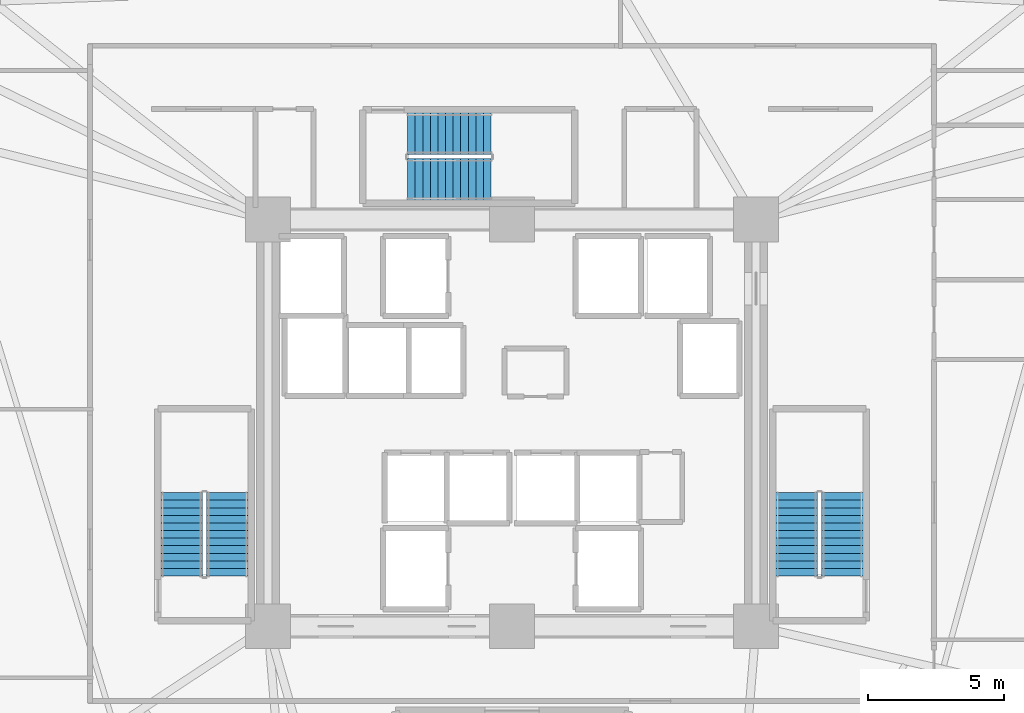
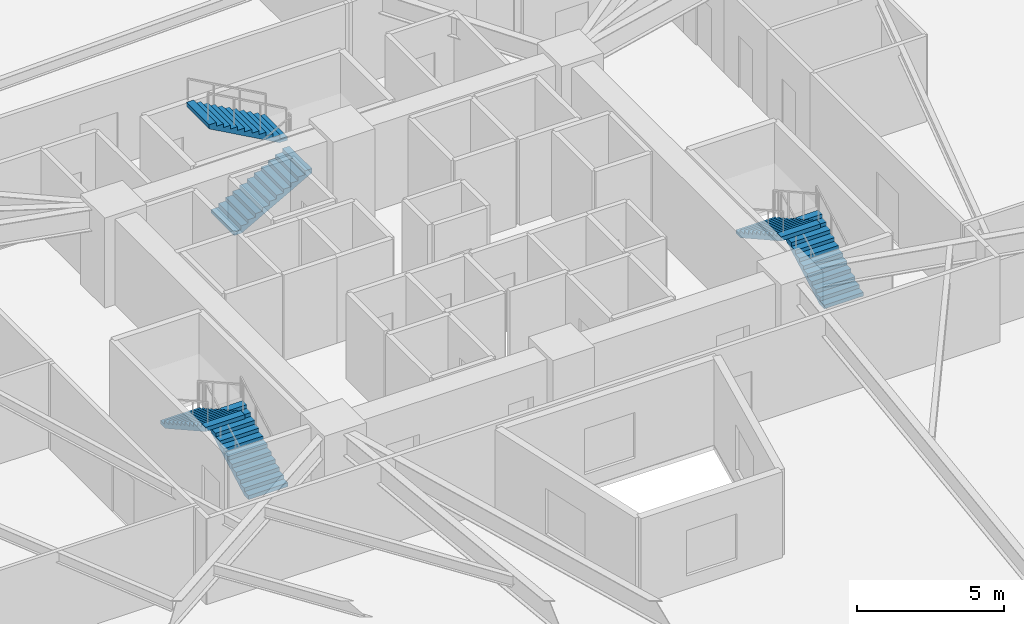
# One storey, part 7 of 8: 6 stair flights, 3 elements without a shape of their own.
"""IFC4 building model written with IfcOpenShell, lengths in metres."""

from ifc_helpers import new_model, si_unit, direction, frame, origin, place, context, subcontext, project, spatial, polyline, outline, extrude, material, type_object, element, aggregate, save


model = new_model("IFC4")

# Units and contexts
model_context = context("Model", 3, precision=1e-05, world=origin(), true_north=direction((0.0, 1.0)))
body_context = subcontext(model_context, "Body", "Model", "MODEL_VIEW")
ifc_project = project(units=[si_unit("LENGTHUNIT", "METRE"), si_unit("AREAUNIT", "SQUARE_METRE"), si_unit("VOLUMEUNIT", "CUBIC_METRE"), si_unit("PLANEANGLEUNIT", "RADIAN"), si_unit("MASSUNIT", "GRAM", prefix="KILO")], contexts=[model_context])

# Site, building, storey
site_placement = place(None, origin())
site = spatial("IfcSite", under=ifc_project, at=site_placement, CompositionType="ELEMENT")
building_placement = place(site_placement, origin())
building = spatial("IfcBuilding", under=site, at=building_placement, Name="Liaohun Quay Tower", CompositionType="ELEMENT")
storey_placement = place(building_placement, frame((0.0, 0.0, 63.0)))
storey = spatial("IfcBuildingStorey", under=building, at=storey_placement, Name="L16", CompositionType="ELEMENT", Elevation=63.0)

# Stair, stair flights
ifc_material = material(Name="Concrete C45", Category="concrete")
stair_type = type_object("IfcStairType", Name="STR-CORE-OFF", PredefinedType="HALF_TURN_STAIR", material=ifc_material)
stair_1_placement = place(storey_placement, origin())
stair_1 = element("IfcStair", 1, at=stair_1_placement, inside=storey, type_object=stair_type, Name="L16 Smokeproof Core Exit Stair ST-1", PredefinedType="HALF_TURN_STAIR")
stair_flight_type = type_object("IfcStairFlightType", Name="FLT-CORE-155", PredefinedType="STRAIGHT", material=ifc_material)
stair_flight_1_placement = place(storey_placement, frame((49.5048828125, 48.35009765625, 0.0), z_axis=(0.0, 0.0, 1.0), x_axis=(0.0, 1.0, 0.0)))
stair_flight_1 = element("IfcStairFlight", 2, at=stair_flight_1_placement, type_object=stair_flight_type, Name="ST-1 flight 1", NumberOfRisers=12, NumberOfTreads=11, PredefinedType="STRAIGHT", RiserHeight=0.15625, TreadLength=0.28, context=body_context, shape_type="SweptSolid", body=[
    extrude(outline(polyline([(0.0, 0.0), (0.0, 0.15625), (0.280029296875, 0.15625), (0.280029296875, 0.3125), (0.56005859375, 0.3125), (0.56005859375, 0.46875), (0.840087890625, 0.46875), (0.840087890625, 0.625), (1.1201171875, 0.625), (1.1201171875, 0.78125), (1.39990234375, 0.78125), (1.39990234375, 0.9375), (1.679931640625, 0.9375), (1.679931640625, 1.09375), (1.9599609375, 1.09375), (1.9599609375, 1.25), (2.239990234375, 1.25), (2.239990234375, 1.40625), (2.52001953125, 1.40625), (2.52001953125, 1.5625), (2.800048828125, 1.5625), (2.800048828125, 1.71875), (3.080078125, 1.71875), (3.080078125, 1.875), (3.080078125, 1.547119140625), (0.3076171875, 0.0), (0.0, 0.0)])), frame((0.0, 0.77490234375, 0.0), z_axis=(0.0, -1.0, 0.0), x_axis=(1.0, 0.0, 0.0)), (0.0, 0.0, 1.0), 1.550048828125),
])
stair_flight_2_placement = place(storey_placement, frame((47.81494140625, 51.429931640625, 1.875), z_axis=(0.0, 0.0, 1.0), x_axis=(0.0, -1.0, 0.0)))
stair_flight_2 = element("IfcStairFlight", 3, at=stair_flight_2_placement, type_object=stair_flight_type, Name="ST-1 flight 2", NumberOfRisers=12, NumberOfTreads=11, PredefinedType="STRAIGHT", RiserHeight=0.15625, TreadLength=0.28, context=body_context, shape_type="SweptSolid", body=[
    extrude(outline(polyline([(0.0, 0.0), (0.0, 0.15625), (0.280029296875, 0.15625), (0.280029296875, 0.3125), (0.56005859375, 0.3125), (0.56005859375, 0.46875), (0.840087890625, 0.46875), (0.840087890625, 0.625), (1.1201171875, 0.625), (1.1201171875, 0.78125), (1.39990234375, 0.78125), (1.39990234375, 0.9375), (1.679931640625, 0.9375), (1.679931640625, 1.09375), (1.9599609375, 1.09375), (1.9599609375, 1.25), (2.239990234375, 1.25), (2.239990234375, 1.40625), (2.52001953125, 1.40625), (2.52001953125, 1.5625), (2.800048828125, 1.5625), (2.800048828125, 1.71875), (3.080078125, 1.71875), (3.080078125, 1.875), (3.080078125, 1.547119140625), (0.3076171875, 0.0), (0.0, 0.0)])), frame((0.0, 0.77490234375, 0.0), z_axis=(0.0, -1.0, 0.0), x_axis=(1.0, 0.0, 0.0)), (0.0, 0.0, 1.0), 1.550048828125),
])
aggregate(stair_1, [stair_flight_1, stair_flight_2])

stair_2_placement = place(storey_placement, origin())
stair_2 = element("IfcStair", 4, at=stair_2_placement, inside=storey, type_object=stair_type, Name="L16 Smokeproof Core Exit Stair ST-2", PredefinedType="HALF_TURN_STAIR")
stair_flight_3_placement = place(storey_placement, frame((72.18505859375, 48.35009765625, 0.0), z_axis=(0.0, 0.0, 1.0), x_axis=(0.0, 1.0, 0.0)))
stair_flight_3 = element("IfcStairFlight", 5, at=stair_flight_3_placement, type_object=stair_flight_type, Name="ST-2 flight 1", NumberOfRisers=12, NumberOfTreads=11, PredefinedType="STRAIGHT", RiserHeight=0.15625, TreadLength=0.28, context=body_context, shape_type="SweptSolid", body=[
    extrude(outline(polyline([(0.0, 0.0), (0.0, 0.15625), (0.280029296875, 0.15625), (0.280029296875, 0.3125), (0.56005859375, 0.3125), (0.56005859375, 0.46875), (0.840087890625, 0.46875), (0.840087890625, 0.625), (1.1201171875, 0.625), (1.1201171875, 0.78125), (1.39990234375, 0.78125), (1.39990234375, 0.9375), (1.679931640625, 0.9375), (1.679931640625, 1.09375), (1.9599609375, 1.09375), (1.9599609375, 1.25), (2.239990234375, 1.25), (2.239990234375, 1.40625), (2.52001953125, 1.40625), (2.52001953125, 1.5625), (2.800048828125, 1.5625), (2.800048828125, 1.71875), (3.080078125, 1.71875), (3.080078125, 1.875), (3.080078125, 1.547119140625), (0.3076171875, 0.0), (0.0, 0.0)])), frame((0.0, 0.77490234375, 0.0), z_axis=(0.0, -1.0, 0.0), x_axis=(1.0, 0.0, 0.0)), (0.0, 0.0, 1.0), 1.550048828125),
])
stair_flight_4_placement = place(storey_placement, frame((70.4951171875, 51.429931640625, 1.875), z_axis=(0.0, 0.0, 1.0), x_axis=(0.0, -1.0, 0.0)))
stair_flight_4 = element("IfcStairFlight", 6, at=stair_flight_4_placement, type_object=stair_flight_type, Name="ST-2 flight 2", NumberOfRisers=12, NumberOfTreads=11, PredefinedType="STRAIGHT", RiserHeight=0.15625, TreadLength=0.28, context=body_context, shape_type="SweptSolid", body=[
    extrude(outline(polyline([(0.0, 0.0), (0.0, 0.15625), (0.280029296875, 0.15625), (0.280029296875, 0.3125), (0.56005859375, 0.3125), (0.56005859375, 0.46875), (0.840087890625, 0.46875), (0.840087890625, 0.625), (1.1201171875, 0.625), (1.1201171875, 0.78125), (1.39990234375, 0.78125), (1.39990234375, 0.9375), (1.679931640625, 0.9375), (1.679931640625, 1.09375), (1.9599609375, 1.09375), (1.9599609375, 1.25), (2.239990234375, 1.25), (2.239990234375, 1.40625), (2.52001953125, 1.40625), (2.52001953125, 1.5625), (2.800048828125, 1.5625), (2.800048828125, 1.71875), (3.080078125, 1.71875), (3.080078125, 1.875), (3.080078125, 1.547119140625), (0.3076171875, 0.0), (0.0, 0.0)])), frame((0.0, 0.77490234375, 0.0), z_axis=(0.0, -1.0, 0.0), x_axis=(1.0, 0.0, 0.0)), (0.0, 0.0, 1.0), 1.550048828125),
])
aggregate(stair_2, [stair_flight_3, stair_flight_4])

stair_3_placement = place(storey_placement, origin())
stair_3 = element("IfcStair", 7, at=stair_3_placement, inside=storey, type_object=stair_type, Name="L16 Smokeproof Core Exit Stair ST-3", PredefinedType="HALF_TURN_STAIR")
stair_flight_5_placement = place(storey_placement, frame((56.14990234375, 62.97509765625, 0.0), z_axis=(0.0, 0.0, 1.0), x_axis=(1.0, 0.0, 0.0)))
stair_flight_5 = element("IfcStairFlight", 8, at=stair_flight_5_placement, type_object=stair_flight_type, Name="ST-3 flight 1", NumberOfRisers=12, NumberOfTreads=11, PredefinedType="STRAIGHT", RiserHeight=0.15625, TreadLength=0.28, context=body_context, shape_type="SweptSolid", body=[
    extrude(outline(polyline([(0.0, 0.0), (0.0, 0.15625), (0.280029296875, 0.15625), (0.280029296875, 0.3125), (0.56005859375, 0.3125), (0.56005859375, 0.46875), (0.840087890625, 0.46875), (0.840087890625, 0.625), (1.1201171875, 0.625), (1.1201171875, 0.78125), (1.39990234375, 0.78125), (1.39990234375, 0.9375), (1.679931640625, 0.9375), (1.679931640625, 1.09375), (1.9599609375, 1.09375), (1.9599609375, 1.25), (2.239990234375, 1.25), (2.239990234375, 1.40625), (2.52001953125, 1.40625), (2.52001953125, 1.5625), (2.800048828125, 1.5625), (2.800048828125, 1.71875), (3.080078125, 1.71875), (3.080078125, 1.875), (3.080078125, 1.547119140625), (0.3076171875, 0.0), (0.0, 0.0)])), frame((0.0, 0.77490234375, 0.0), z_axis=(0.0, -1.0, 0.0), x_axis=(1.0, 0.0, 0.0)), (0.0, 0.0, 1.0), 1.550048828125),
])
stair_flight_6_placement = place(storey_placement, frame((59.22998046875, 64.6650390625, 1.875), z_axis=(0.0, 0.0, 1.0), x_axis=(-1.0, 0.0, 0.0)))
stair_flight_6 = element("IfcStairFlight", 9, at=stair_flight_6_placement, type_object=stair_flight_type, Name="ST-3 flight 2", NumberOfRisers=12, NumberOfTreads=11, PredefinedType="STRAIGHT", RiserHeight=0.15625, TreadLength=0.28, context=body_context, shape_type="SweptSolid", body=[
    extrude(outline(polyline([(0.0, 0.0), (0.0, 0.15625), (0.280029296875, 0.15625), (0.280029296875, 0.3125), (0.56005859375, 0.3125), (0.56005859375, 0.46875), (0.840087890625, 0.46875), (0.840087890625, 0.625), (1.1201171875, 0.625), (1.1201171875, 0.78125), (1.39990234375, 0.78125), (1.39990234375, 0.9375), (1.679931640625, 0.9375), (1.679931640625, 1.09375), (1.9599609375, 1.09375), (1.9599609375, 1.25), (2.239990234375, 1.25), (2.239990234375, 1.40625), (2.52001953125, 1.40625), (2.52001953125, 1.5625), (2.800048828125, 1.5625), (2.800048828125, 1.71875), (3.080078125, 1.71875), (3.080078125, 1.875), (3.080078125, 1.547119140625), (0.3076171875, 0.0), (0.0, 0.0)])), frame((0.0, 0.77490234375, 0.0), z_axis=(0.0, -1.0, 0.0), x_axis=(1.0, 0.0, 0.0)), (0.0, 0.0, 1.0), 1.550048828125),
])
aggregate(stair_3, [stair_flight_5, stair_flight_6])

save(model, "model.ifc")
